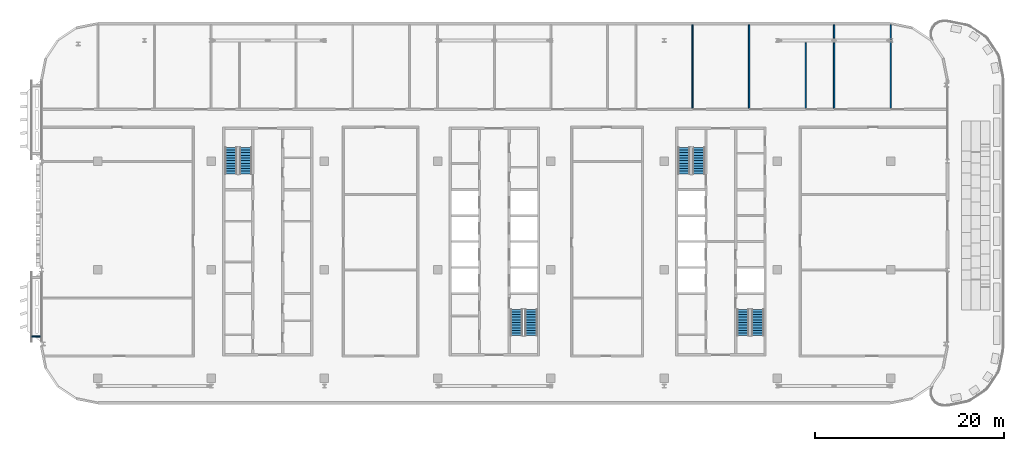
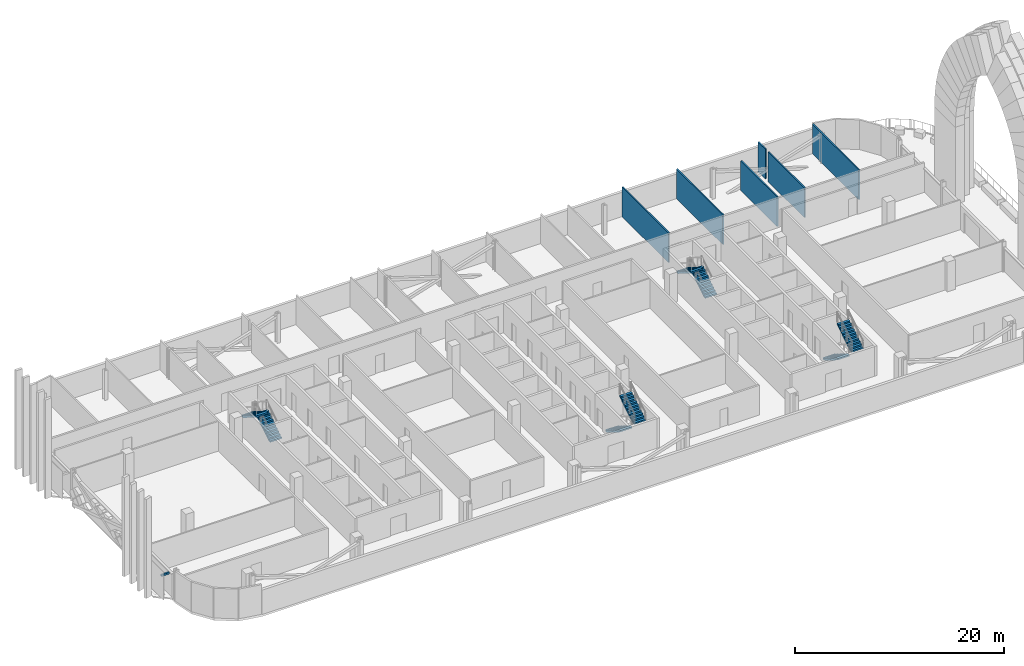
# One storey, part 18 of 30: 8 stair flights, 6 walls, 1 discrete accessory, 4 elements without a shape of their own.
"""IFC4 building model written with IfcOpenShell, lengths in metres."""

from ifc_helpers import new_model, si_unit, direction, frame, frame_2d, origin, origin_2d, place, context, subcontext, project, spatial, polyline, rectangle, outline, extrude, material, layer, layer_set, type_object, element, aggregate, save


model = new_model("IFC4")

# Units and contexts
model_context = context("Model", 3, precision=1e-05, world=origin(), true_north=direction((0.0, 1.0)))
body_context = subcontext(model_context, "Body", "Model", "MODEL_VIEW")
ifc_project = project(units=[si_unit("LENGTHUNIT", "METRE"), si_unit("AREAUNIT", "SQUARE_METRE"), si_unit("VOLUMEUNIT", "CUBIC_METRE"), si_unit("PLANEANGLEUNIT", "RADIAN"), si_unit("MASSUNIT", "GRAM", prefix="KILO")], contexts=[model_context])

# Site, building, storey
site_placement = place(None, origin())
site = spatial("IfcSite", under=ifc_project, at=site_placement, CompositionType="ELEMENT")
building_placement = place(site_placement, origin())
building = spatial("IfcBuilding", under=site, at=building_placement, Name="Mahtab Terrace Research Tower", CompositionType="ELEMENT")
storey_placement = place(building_placement, frame((0.0, 0.0, 263.300048828125)))
storey = spatial("IfcBuildingStorey", under=building, at=storey_placement, Name="L64", CompositionType="ELEMENT", Elevation=263.300048828125)

# Walls
ifc_material_1 = material(Name="Gypsum board partition on steel studs", Category="steel")
ifc_layer = layer(ifc_material_1, 0.14990234375)
ifc_layer_set = layer_set([ifc_layer], Name="WALL PARTITION 150")
wall_type = type_object("IfcWallType", Name="WALL PARTITION 150", PredefinedType="PARTITIONING", material=ifc_layer_set)
for number, where, z_axis, x_axis, name in (
    (1, (21.0, 17.10009765625, 0.0), (0.0, 0.0, 1.0), (0.0, 1.0, 0.0), "L64-W039"),
    (2, (27.0, 17.10009765625, 0.0), (0.0, 0.0, 1.0), (0.0, 1.0, 0.0), "L64-W040"),
):
    element("IfcWall", number, at=place(storey_placement, frame(where, z_axis=z_axis, x_axis=x_axis)), inside=storey, type_object=wall_type, Name=name, PredefinedType="PARTITIONING", context=body_context, shape_type="SweptSolid", body=[
        extrude(rectangle(XDim=8.86181640625, YDim=0.14990234375, at=frame_2d((4.430908203125, 0.0))), origin(), (0.0, 0.0, 1.0), 3.4599609375),
    ])
for number, where, z_axis, x_axis, name in (
    (3, (33.0, 17.10009765625, 0.0), (0.0, 0.0, 1.0), (0.0, 1.0, 0.0), "L64-W042"),
    (4, (36.0, 17.10009765625, 0.0), (0.0, 0.0, 1.0), (0.0, 1.0, 0.0), "L64-W043"),
):
    element("IfcWall", number, at=place(storey_placement, frame(where, z_axis=z_axis, x_axis=x_axis)), inside=storey, type_object=wall_type, Name=name, PredefinedType="PARTITIONING", context=body_context, shape_type="SweptSolid", body=[
        extrude(rectangle(XDim=6.95458984375, YDim=0.14990234375, at=frame_2d((3.477294921875, 0.0))), origin(), (0.0, 0.0, 1.0), 3.4599609375),
    ])
wall_1_placement = place(storey_placement, frame((36.0, 24.559326171875, 0.0), z_axis=(0.0, 0.0, 1.0), x_axis=(0.0, 1.0, 0.0)))
element("IfcWall", 5, at=wall_1_placement, inside=storey, type_object=wall_type, Name="L64-W044", PredefinedType="PARTITIONING", context=body_context, shape_type="SweptSolid", body=[
    extrude(rectangle(XDim=1.402587890625, YDim=0.14990234375, at=frame_2d((0.701171875, 0.0))), origin(), (0.0, 0.0, 1.0), 3.4599609375),
])
wall_2_placement = place(storey_placement, frame((42.0, 17.10009765625, 0.0), z_axis=(0.0, 0.0, 1.0), x_axis=(0.0, 1.0, 0.0)))
element("IfcWall", 6, at=wall_2_placement, inside=storey, type_object=wall_type, Name="L64-W045", PredefinedType="PARTITIONING", context=body_context, shape_type="SweptSolid", body=[
    extrude(rectangle(XDim=8.85888671875, YDim=0.14990234375, at=frame_2d((4.429443359375, 0.0))), origin(), (0.0, 0.0, 1.0), 3.4599609375),
])

# Stair, stair flights
ifc_material_2 = material(Name="Exit stair half-turn")
stair_type = type_object("IfcStairType", Name="Exit stair half-turn", PredefinedType="HALF_TURN_STAIR", material=ifc_material_2)
stair_1_placement = place(storey_placement, origin())
stair_1 = element("IfcStair", 7, at=stair_1_placement, inside=storey, type_object=stair_type, Name="L64 Protected exit stair ST1", PredefinedType="HALF_TURN_STAIR")
ifc_material_3 = material(Name="Concrete C40/50", Category="concrete")
stair_flight_type = type_object("IfcStairFlightType", Name="Exit stair flight 1300", PredefinedType="STRAIGHT", material=ifc_material_3)
stair_flight_1_placement = place(storey_placement, frame((-26.35009765625, 10.175048828125, 0.0), z_axis=(0.0, 0.0, 1.0), x_axis=(0.0, 1.0, 0.0)))
stair_flight_1 = element("IfcStairFlight", 8, at=stair_flight_1_placement, type_object=stair_flight_type, Name="ST1 flight 1", NumberOfRisers=11, NumberOfTreads=10, PredefinedType="STRAIGHT", RiserHeight=0.172727273, TreadLength=0.28, context=body_context, shape_type="SweptSolid", body=[
    extrude(outline(polyline([(0.0, 0.0), (0.0, 0.172607421875), (0.280029296875, 0.172607421875), (0.280029296875, 0.345458984375), (0.56005859375, 0.345458984375), (0.56005859375, 0.51806640625), (0.840087890625, 0.51806640625), (0.840087890625, 0.69091796875), (1.1201171875, 0.69091796875), (1.1201171875, 0.863525390625), (1.39990234375, 0.863525390625), (1.39990234375, 1.036376953125), (1.679931640625, 1.036376953125), (1.679931640625, 1.208984375), (1.9599609375, 1.208984375), (1.9599609375, 1.3818359375), (2.239990234375, 1.3818359375), (2.239990234375, 1.554443359375), (2.52001953125, 1.554443359375), (2.52001953125, 1.727294921875), (2.800048828125, 1.727294921875), (2.800048828125, 1.89990234375), (2.800048828125, 1.551025390625), (0.285400390625, 0.0), (0.0, 0.0)])), frame((0.0, 0.64990234375, 0.0), z_axis=(0.0, -1.0, 0.0), x_axis=(1.0, 0.0, 0.0)), (0.0, 0.0, 1.0), 1.300048828125),
])
stair_flight_2_placement = place(storey_placement, frame((-27.89990234375, 12.97509765625, 1.89990234375), z_axis=(0.0, 0.0, 1.0), x_axis=(0.0, -1.0, 0.0)))
stair_flight_2 = element("IfcStairFlight", 9, at=stair_flight_2_placement, type_object=stair_flight_type, Name="ST1 flight 2", NumberOfRisers=11, NumberOfTreads=10, PredefinedType="STRAIGHT", RiserHeight=0.172727273, TreadLength=0.28, context=body_context, shape_type="SweptSolid", body=[
    extrude(outline(polyline([(0.0, 0.0), (0.0, 0.172607421875), (0.280029296875, 0.172607421875), (0.280029296875, 0.345458984375), (0.56005859375, 0.345458984375), (0.56005859375, 0.51806640625), (0.840087890625, 0.51806640625), (0.840087890625, 0.69091796875), (1.1201171875, 0.69091796875), (1.1201171875, 0.863525390625), (1.39990234375, 0.863525390625), (1.39990234375, 1.036376953125), (1.679931640625, 1.036376953125), (1.679931640625, 1.208984375), (1.9599609375, 1.208984375), (1.9599609375, 1.3818359375), (2.239990234375, 1.3818359375), (2.239990234375, 1.554443359375), (2.52001953125, 1.554443359375), (2.52001953125, 1.727294921875), (2.800048828125, 1.727294921875), (2.800048828125, 1.89990234375), (2.800048828125, 1.551025390625), (0.285400390625, 0.0), (0.0, 0.0)])), frame((0.0, 0.64990234375, 0.0), z_axis=(0.0, -1.0, 0.0), x_axis=(1.0, 0.0, 0.0)), (0.0, 0.0, 1.0), 1.300048828125),
])
aggregate(stair_1, [stair_flight_1, stair_flight_2])

stair_2_placement = place(storey_placement, origin())
stair_2 = element("IfcStair", 10, at=stair_2_placement, inside=storey, type_object=stair_type, Name="L64 Protected exit stair ST2", PredefinedType="HALF_TURN_STAIR")
stair_flight_3_placement = place(storey_placement, frame((2.35009765625, -4.175048828125, 0.0), z_axis=(0.0, 0.0, 1.0), x_axis=(0.0, -1.0, 0.0)))
stair_flight_3 = element("IfcStairFlight", 11, at=stair_flight_3_placement, type_object=stair_flight_type, Name="ST2 flight 1", NumberOfRisers=11, NumberOfTreads=10, PredefinedType="STRAIGHT", RiserHeight=0.172727273, TreadLength=0.28, context=body_context, shape_type="SweptSolid", body=[
    extrude(outline(polyline([(0.0, 0.0), (0.0, 0.172607421875), (0.280029296875, 0.172607421875), (0.280029296875, 0.345458984375), (0.56005859375, 0.345458984375), (0.56005859375, 0.51806640625), (0.840087890625, 0.51806640625), (0.840087890625, 0.69091796875), (1.1201171875, 0.69091796875), (1.1201171875, 0.863525390625), (1.39990234375, 0.863525390625), (1.39990234375, 1.036376953125), (1.679931640625, 1.036376953125), (1.679931640625, 1.208984375), (1.9599609375, 1.208984375), (1.9599609375, 1.3818359375), (2.239990234375, 1.3818359375), (2.239990234375, 1.554443359375), (2.52001953125, 1.554443359375), (2.52001953125, 1.727294921875), (2.800048828125, 1.727294921875), (2.800048828125, 1.89990234375), (2.800048828125, 1.551025390625), (0.285400390625, 0.0), (0.0, 0.0)])), frame((0.0, 0.64990234375, 0.0), z_axis=(0.0, -1.0, 0.0), x_axis=(1.0, 0.0, 0.0)), (0.0, 0.0, 1.0), 1.300048828125),
])
stair_flight_4_placement = place(storey_placement, frame((3.89990234375, -6.97509765625, 1.89990234375), z_axis=(0.0, 0.0, 1.0), x_axis=(0.0, 1.0, 0.0)))
stair_flight_4 = element("IfcStairFlight", 12, at=stair_flight_4_placement, type_object=stair_flight_type, Name="ST2 flight 2", NumberOfRisers=11, NumberOfTreads=10, PredefinedType="STRAIGHT", RiserHeight=0.172727273, TreadLength=0.28, context=body_context, shape_type="SweptSolid", body=[
    extrude(outline(polyline([(0.0, 0.0), (0.0, 0.172607421875), (0.280029296875, 0.172607421875), (0.280029296875, 0.345458984375), (0.56005859375, 0.345458984375), (0.56005859375, 0.51806640625), (0.840087890625, 0.51806640625), (0.840087890625, 0.69091796875), (1.1201171875, 0.69091796875), (1.1201171875, 0.863525390625), (1.39990234375, 0.863525390625), (1.39990234375, 1.036376953125), (1.679931640625, 1.036376953125), (1.679931640625, 1.208984375), (1.9599609375, 1.208984375), (1.9599609375, 1.3818359375), (2.239990234375, 1.3818359375), (2.239990234375, 1.554443359375), (2.52001953125, 1.554443359375), (2.52001953125, 1.727294921875), (2.800048828125, 1.727294921875), (2.800048828125, 1.89990234375), (2.800048828125, 1.551025390625), (0.285400390625, 0.0), (0.0, 0.0)])), frame((0.0, 0.64990234375, 0.0), z_axis=(0.0, -1.0, 0.0), x_axis=(1.0, 0.0, 0.0)), (0.0, 0.0, 1.0), 1.300048828125),
])
aggregate(stair_2, [stair_flight_3, stair_flight_4])

stair_3_placement = place(storey_placement, origin())
stair_3 = element("IfcStair", 13, at=stair_3_placement, inside=storey, type_object=stair_type, Name="L64 Protected exit stair ST3", PredefinedType="HALF_TURN_STAIR")
stair_flight_5_placement = place(storey_placement, frame((21.64990234375, 10.175048828125, 0.0), z_axis=(0.0, 0.0, 1.0), x_axis=(0.0, 1.0, 0.0)))
stair_flight_5 = element("IfcStairFlight", 14, at=stair_flight_5_placement, type_object=stair_flight_type, Name="ST3 flight 1", NumberOfRisers=11, NumberOfTreads=10, PredefinedType="STRAIGHT", RiserHeight=0.172727273, TreadLength=0.28, context=body_context, shape_type="SweptSolid", body=[
    extrude(outline(polyline([(0.0, 0.0), (0.0, 0.172607421875), (0.280029296875, 0.172607421875), (0.280029296875, 0.345458984375), (0.56005859375, 0.345458984375), (0.56005859375, 0.51806640625), (0.840087890625, 0.51806640625), (0.840087890625, 0.69091796875), (1.1201171875, 0.69091796875), (1.1201171875, 0.863525390625), (1.39990234375, 0.863525390625), (1.39990234375, 1.036376953125), (1.679931640625, 1.036376953125), (1.679931640625, 1.208984375), (1.9599609375, 1.208984375), (1.9599609375, 1.3818359375), (2.239990234375, 1.3818359375), (2.239990234375, 1.554443359375), (2.52001953125, 1.554443359375), (2.52001953125, 1.727294921875), (2.800048828125, 1.727294921875), (2.800048828125, 1.89990234375), (2.800048828125, 1.551025390625), (0.285400390625, 0.0), (0.0, 0.0)])), frame((0.0, 0.64990234375, 0.0), z_axis=(0.0, -1.0, 0.0), x_axis=(1.0, 0.0, 0.0)), (0.0, 0.0, 1.0), 1.300048828125),
])
stair_flight_6_placement = place(storey_placement, frame((20.10009765625, 12.97509765625, 1.89990234375), z_axis=(0.0, 0.0, 1.0), x_axis=(0.0, -1.0, 0.0)))
stair_flight_6 = element("IfcStairFlight", 15, at=stair_flight_6_placement, type_object=stair_flight_type, Name="ST3 flight 2", NumberOfRisers=11, NumberOfTreads=10, PredefinedType="STRAIGHT", RiserHeight=0.172727273, TreadLength=0.28, context=body_context, shape_type="SweptSolid", body=[
    extrude(outline(polyline([(0.0, 0.0), (0.0, 0.172607421875), (0.280029296875, 0.172607421875), (0.280029296875, 0.345458984375), (0.56005859375, 0.345458984375), (0.56005859375, 0.51806640625), (0.840087890625, 0.51806640625), (0.840087890625, 0.69091796875), (1.1201171875, 0.69091796875), (1.1201171875, 0.863525390625), (1.39990234375, 0.863525390625), (1.39990234375, 1.036376953125), (1.679931640625, 1.036376953125), (1.679931640625, 1.208984375), (1.9599609375, 1.208984375), (1.9599609375, 1.3818359375), (2.239990234375, 1.3818359375), (2.239990234375, 1.554443359375), (2.52001953125, 1.554443359375), (2.52001953125, 1.727294921875), (2.800048828125, 1.727294921875), (2.800048828125, 1.89990234375), (2.800048828125, 1.551025390625), (0.285400390625, 0.0), (0.0, 0.0)])), frame((0.0, 0.64990234375, 0.0), z_axis=(0.0, -1.0, 0.0), x_axis=(1.0, 0.0, 0.0)), (0.0, 0.0, 1.0), 1.300048828125),
])
aggregate(stair_3, [stair_flight_5, stair_flight_6])

stair_4_placement = place(storey_placement, origin())
stair_4 = element("IfcStair", 16, at=stair_4_placement, inside=storey, type_object=stair_type, Name="L64 Protected exit stair ST4", PredefinedType="HALF_TURN_STAIR")
stair_flight_7_placement = place(storey_placement, frame((26.35009765625, -4.175048828125, 0.0), z_axis=(0.0, 0.0, 1.0), x_axis=(0.0, -1.0, 0.0)))
stair_flight_7 = element("IfcStairFlight", 17, at=stair_flight_7_placement, type_object=stair_flight_type, Name="ST4 flight 1", NumberOfRisers=11, NumberOfTreads=10, PredefinedType="STRAIGHT", RiserHeight=0.172727273, TreadLength=0.28, context=body_context, shape_type="SweptSolid", body=[
    extrude(outline(polyline([(0.0, 0.0), (0.0, 0.172607421875), (0.280029296875, 0.172607421875), (0.280029296875, 0.345458984375), (0.56005859375, 0.345458984375), (0.56005859375, 0.51806640625), (0.840087890625, 0.51806640625), (0.840087890625, 0.69091796875), (1.1201171875, 0.69091796875), (1.1201171875, 0.863525390625), (1.39990234375, 0.863525390625), (1.39990234375, 1.036376953125), (1.679931640625, 1.036376953125), (1.679931640625, 1.208984375), (1.9599609375, 1.208984375), (1.9599609375, 1.3818359375), (2.239990234375, 1.3818359375), (2.239990234375, 1.554443359375), (2.52001953125, 1.554443359375), (2.52001953125, 1.727294921875), (2.800048828125, 1.727294921875), (2.800048828125, 1.89990234375), (2.800048828125, 1.551025390625), (0.285400390625, 0.0), (0.0, 0.0)])), frame((0.0, 0.64990234375, 0.0), z_axis=(0.0, -1.0, 0.0), x_axis=(1.0, 0.0, 0.0)), (0.0, 0.0, 1.0), 1.300048828125),
])
stair_flight_8_placement = place(storey_placement, frame((27.89990234375, -6.97509765625, 1.89990234375), z_axis=(0.0, 0.0, 1.0), x_axis=(0.0, 1.0, 0.0)))
stair_flight_8 = element("IfcStairFlight", 18, at=stair_flight_8_placement, type_object=stair_flight_type, Name="ST4 flight 2", NumberOfRisers=11, NumberOfTreads=10, PredefinedType="STRAIGHT", RiserHeight=0.172727273, TreadLength=0.28, context=body_context, shape_type="SweptSolid", body=[
    extrude(outline(polyline([(0.0, 0.0), (0.0, 0.172607421875), (0.280029296875, 0.172607421875), (0.280029296875, 0.345458984375), (0.56005859375, 0.345458984375), (0.56005859375, 0.51806640625), (0.840087890625, 0.51806640625), (0.840087890625, 0.69091796875), (1.1201171875, 0.69091796875), (1.1201171875, 0.863525390625), (1.39990234375, 0.863525390625), (1.39990234375, 1.036376953125), (1.679931640625, 1.036376953125), (1.679931640625, 1.208984375), (1.9599609375, 1.208984375), (1.9599609375, 1.3818359375), (2.239990234375, 1.3818359375), (2.239990234375, 1.554443359375), (2.52001953125, 1.554443359375), (2.52001953125, 1.727294921875), (2.800048828125, 1.727294921875), (2.800048828125, 1.89990234375), (2.800048828125, 1.551025390625), (0.285400390625, 0.0), (0.0, 0.0)])), frame((0.0, 0.64990234375, 0.0), z_axis=(0.0, -1.0, 0.0), x_axis=(1.0, 0.0, 0.0)), (0.0, 0.0, 1.0), 1.300048828125),
])
aggregate(stair_4, [stair_flight_7, stair_flight_8])

# Discrete accessory
ifc_material_4 = material(Name="Black anodised aluminium", Category="aluminium")
discrete_accessory_type = type_object("IfcDiscreteAccessoryType", Name="Facade bracket", PredefinedType="BRACKET", material=ifc_material_4)
discrete_accessory_placement = place(storey_placement, frame((-48.5625, -7.06005859375, 2.552734375), z_axis=(0.0, 0.0, 1.0), x_axis=(0.0, -1.0, 0.0)))
element("IfcDiscreteAccessory", 19, at=discrete_accessory_placement, inside=storey, type_object=discrete_accessory_type, Name="Screen bracket Girih screen L64 W11", PredefinedType="BRACKET", context=body_context, shape_type="SweptSolid", body=[
    extrude(rectangle(XDim=0.199951171875, YDim=0.875, at=origin_2d()), origin(), (0.0, 0.0, 1.0), 0.199951171875),
])

save(model, "model.ifc")
